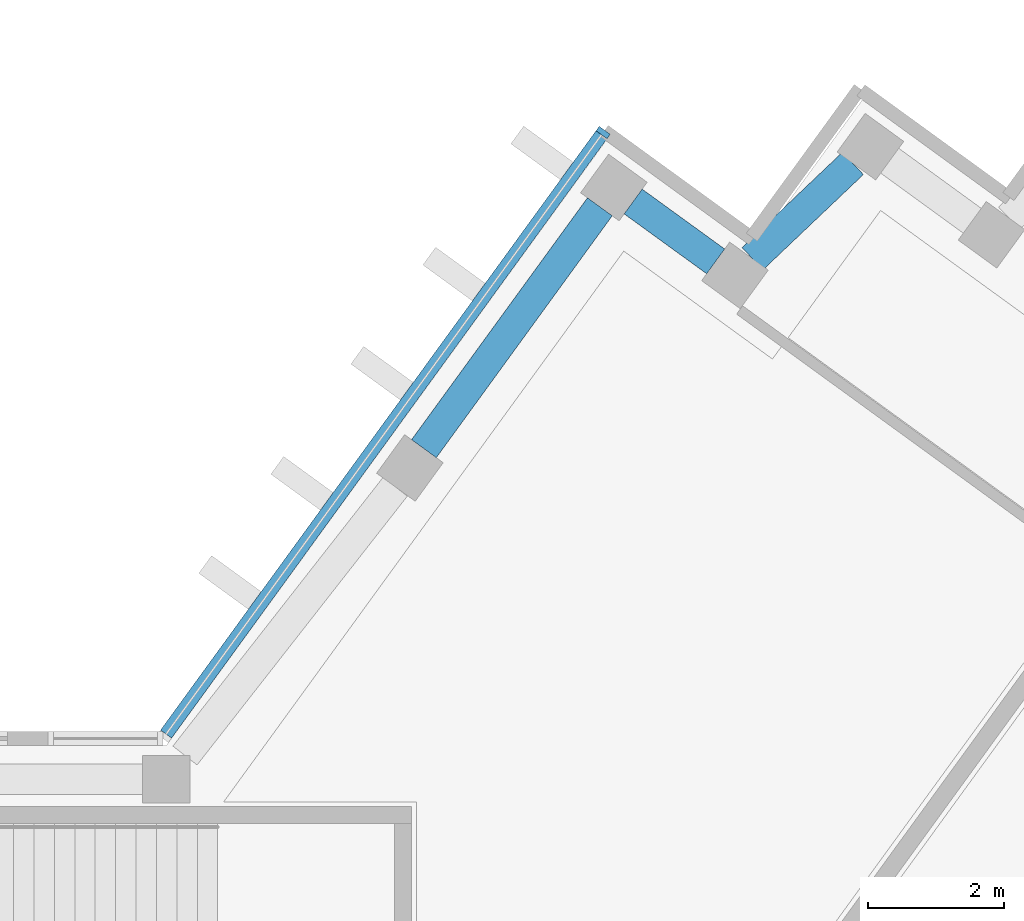
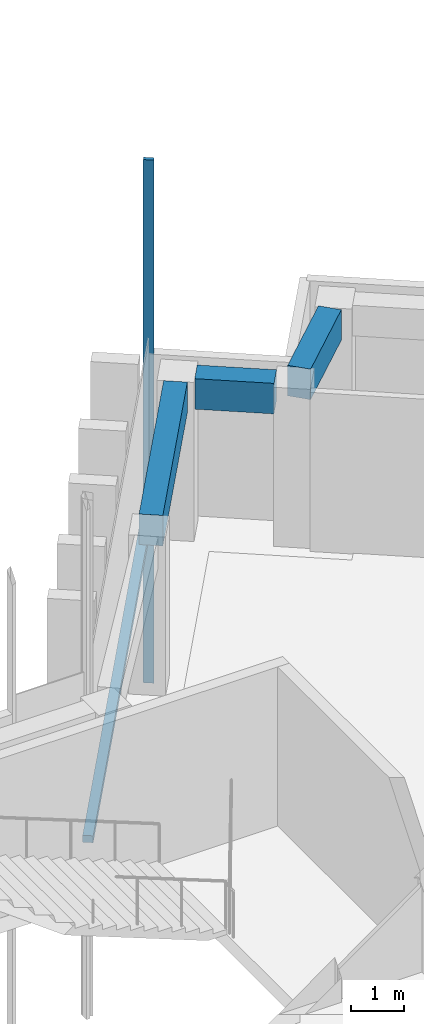
# One storey, part 4 of 13: 3 beams, 2 members, 1 element without a shape of its own.
"""IFC4 building model written with IfcOpenShell, lengths in metres."""

from ifc_helpers import new_model, si_unit, direction, frame, origin, origin_2d, place, context, subcontext, project, spatial, rectangle, extrude, material, material_profile, profile_set, type_object, element, aggregate, save


model = new_model("IFC4")

# Units and contexts
model_context = context("Model", 3, precision=1e-05, world=origin(), true_north=direction((0.0, 1.0)))
body_context = subcontext(model_context, "Body", "Model", "MODEL_VIEW")
ifc_project = project(units=[si_unit("LENGTHUNIT", "METRE"), si_unit("AREAUNIT", "SQUARE_METRE"), si_unit("VOLUMEUNIT", "CUBIC_METRE"), si_unit("PLANEANGLEUNIT", "RADIAN"), si_unit("MASSUNIT", "GRAM", prefix="KILO")], contexts=[model_context])

# Site, building, storey
site_placement = place(None, origin())
site = spatial("IfcSite", under=ifc_project, at=site_placement, CompositionType="ELEMENT")
building_placement = place(site_placement, origin())
building = spatial("IfcBuilding", under=site, at=building_placement, Name="Quipu Civic Tower", CompositionType="ELEMENT")
storey_placement = place(building_placement, frame((0.0, 0.0, 285.0)))
storey = spatial("IfcBuildingStorey", under=building, at=storey_placement, Name="L66", CompositionType="ELEMENT", Elevation=285.0)

# Curtain wall, member
ifc_material_1 = material(Name="Insulated glass unit", Category="glass")
curtain_wall_type = type_object("IfcCurtainWallType", Name="Office curtain wall CW1", PredefinedType="NOTDEFINED", material=ifc_material_1)
curtain_wall_placement = place(storey_placement, origin())
curtain_wall = element("IfcCurtainWall", 1, at=curtain_wall_placement, inside=storey, type_object=curtain_wall_type, Name="Office curtain wall CW1 L65 run 33", PredefinedType="NOTDEFINED")
ifc_material_2 = material(Name="Anodised aluminium", Category="aluminium")
ifc_material_profile_1 = material_profile(ifc_material_2, rectangle(XDim=0.199951171875, YDim=0.080078125, at=origin_2d()), Name="RECT 200x80")
ifc_profile_set_1 = profile_set([ifc_material_profile_1], Name="Anodised aluminium")
member_type_1 = type_object("IfcMemberType", Name="Mullion CW1", PredefinedType="MULLION", material=ifc_profile_set_1)
member_1_placement = place(storey_placement, frame((20.8125, 20.002685546875, -3.919921875), z_axis=(0.0, 0.0, 1.0), x_axis=(0.809015163947, -0.587787771652, 0.0)))
member_1 = element("IfcMember", 2, at=member_1_placement, type_object=member_type_1, Name="CW1 mullion 1", PredefinedType="MULLION", context=body_context, shape_type="SweptSolid", body=[
    extrude(rectangle(XDim=0.199951171875, YDim=0.080078125, at=origin_2d()), origin(), (0.0, 0.0, 1.0), 12.0),
])

# Beams
ifc_material_3 = material(Name="Concrete C50/60", Category="concrete")
ifc_material_profile_2 = material_profile(ifc_material_3, rectangle(XDim=0.449951171875, YDim=0.699951171875, at=origin_2d()), Name="RC450x700")
ifc_profile_set_2 = profile_set([ifc_material_profile_2], Name="Concrete C50/60")
beam_type = type_object("IfcBeamType", Name="Spandrel beam RC 450x700 C50/60", PredefinedType="SPANDREL", material=ifc_profile_set_2)
beam_1_placement = place(storey_placement, frame((24.48193359375, 19.5498046875, 3.300048828125), z_axis=(-0.72511931772, -0.6886232461, 0.0), x_axis=(0.6886232461, -0.72511931772, 0.0)))
element("IfcBeam", 3, at=beam_1_placement, inside=storey, type_object=beam_type, Name="Spandrel beam L66 T-Ei.2-E22 to T-Ei.3-E22", PredefinedType="SPANDREL", context=body_context, shape_type="SweptSolid", body=[
    extrude(rectangle(XDim=0.449951171875, YDim=0.699951171875, at=origin_2d()), origin(), (0.0, 0.0, 1.0), 2.03369140625),
])
beam_2_placement = place(storey_placement, frame((22.466064453125, 18.10986328125, 3.300048828125), z_axis=(-0.809461336076, 0.587173181776, 0.0), x_axis=(-0.587173181776, -0.809461336076, 0.0)))
element("IfcBeam", 4, at=beam_2_placement, inside=storey, type_object=beam_type, Name="Spandrel beam L66 T-Ei.3-E22 to T-Ei.4-E22", PredefinedType="SPANDREL", context=body_context, shape_type="SweptSolid", body=[
    extrude(rectangle(XDim=0.449951171875, YDim=0.699951171875, at=origin_2d()), origin(), (0.0, 0.0, 1.0), 1.498046875),
])
beam_3_placement = place(storey_placement, frame((20.76416015625, 18.911865234375, 3.300048828125), z_axis=(-0.588201428764, -0.808714460857, 0.0), x_axis=(0.808714460857, -0.588201428764, 0.0)))
element("IfcBeam", 5, at=beam_3_placement, inside=storey, type_object=beam_type, Name="Spandrel beam L66 T-Ei.4-E22 to E-IN-01", PredefinedType="SPANDREL", context=body_context, shape_type="SweptSolid", body=[
    extrude(rectangle(XDim=0.449951171875, YDim=0.699951171875, at=origin_2d()), origin(), (0.0, 0.0, 1.0), 4.394287109375),
])

# Member
ifc_material_4 = material(Name="Anodised aluminium", Category="aluminium")
ifc_material_profile_3 = material_profile(ifc_material_4, rectangle(XDim=0.199951171875, YDim=0.159912109375, at=origin_2d()), Name="RECT 200x160")
ifc_profile_set_3 = profile_set([ifc_material_profile_3], Name="Anodised aluminium")
member_type_2 = type_object("IfcMemberType", Name="Transom CW1", PredefinedType="USERDEFINED", material=ifc_profile_set_3)
member_2_placement = place(storey_placement, frame((20.788818359375, 19.97021484375, 0.080078125), z_axis=(-0.587796859727, -0.809008560953, 0.0), x_axis=(0.809008560953, -0.587796859727, 0.0)))
member_2 = element("IfcMember", 6, at=member_2_placement, type_object=member_type_2, Name="CW1 transom 1.2", ObjectType="TRANSOM", PredefinedType="USERDEFINED", context=body_context, shape_type="SweptSolid", body=[
    extrude(rectangle(XDim=0.199951171875, YDim=0.159912109375, at=origin_2d()), origin(), (0.0, 0.0, 1.0), 10.88427734375),
])

aggregate(curtain_wall, [member_1, member_2])

save(model, "model.ifc")
